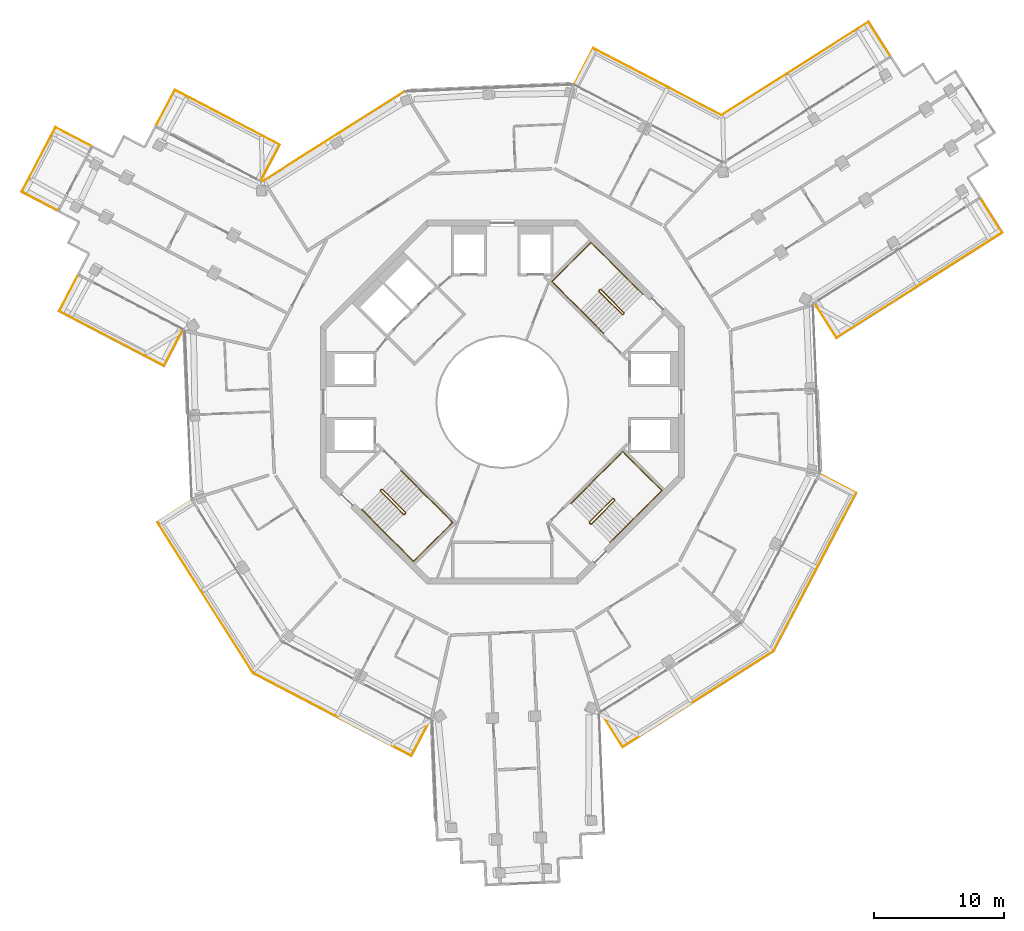
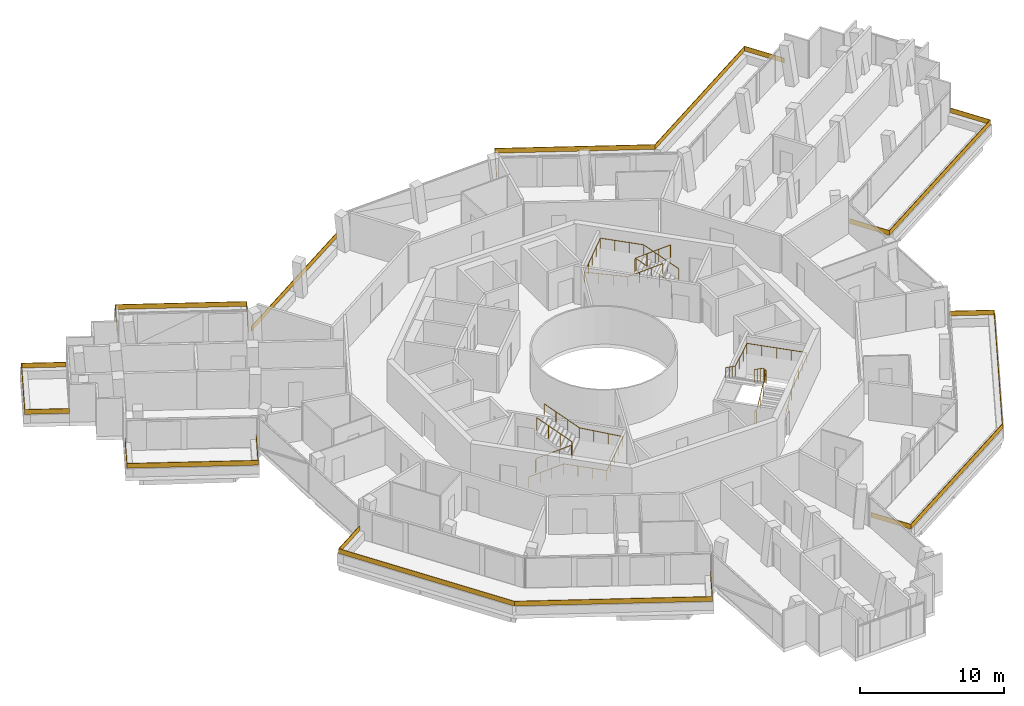
# One storey, part 23 of 23: 14 railings.
"""IFC4 building model written with IfcOpenShell, lengths in metres."""

from ifc_helpers import new_model, si_unit, direction, frame, origin, origin_2d, place, context, subcontext, project, spatial, polyline, rectangle, circle, outline, extrude, material, layer, layer_set, type_object, element, save


model = new_model("IFC4")

# Units and contexts
model_context = context("Model", 3, precision=1e-05, world=origin(), true_north=direction((0.0, 1.0)))
body_context = subcontext(model_context, "Body", "Model", "MODEL_VIEW")
ifc_project = project(units=[si_unit("LENGTHUNIT", "METRE"), si_unit("AREAUNIT", "SQUARE_METRE"), si_unit("VOLUMEUNIT", "CUBIC_METRE"), si_unit("PLANEANGLEUNIT", "RADIAN"), si_unit("MASSUNIT", "GRAM", prefix="KILO")], contexts=[model_context])

# Site, building, storey
site_placement = place(None, origin())
site = spatial("IfcSite", under=ifc_project, at=site_placement, CompositionType="ELEMENT")
building_placement = place(site_placement, origin())
building = spatial("IfcBuilding", under=site, at=building_placement, Name="Verdalira Terraces Hotel", CompositionType="ELEMENT")
storey_placement = place(building_placement, frame((0.0, 0.0, 288.0)))
storey = spatial("IfcBuildingStorey", under=building, at=storey_placement, Name="L71", CompositionType="ELEMENT", Elevation=288.0)

# Railings
ifc_material_1 = material(Name="Laminated glass", Category="glass")
ifc_layer = layer(ifc_material_1, 0.0400390625)
ifc_layer_set = layer_set([ifc_layer], Name="Balcony glass guard 400")
railing_type_1 = type_object("IfcRailingType", Name="Balcony glass guard 400", PredefinedType="GUARDRAIL", material=ifc_layer_set)
railing_1_placement = place(storey_placement, frame((0.0, 0.0, 0.699951)))
element("IfcRailing", 1, at=railing_1_placement, inside=storey, type_object=railing_type_1, Name="Balcony glass guard", PredefinedType="GUARDRAIL", context=body_context, shape_type="SweptSolid", body=[
    extrude(outline(polyline([(-34.364502, 21.102295), (-36.94043, 16.175049), (-34.211914, 14.748535), (-34.230469, 14.713135), (-36.994629, 16.158203), (-34.381592, 21.15625), (-31.617432, 19.711426), (-31.635986, 19.675781), (-34.364502, 21.102295)])), origin(), (0.0, 0.0, 1.0), 0.400146),
])
railing_2_placement = place(storey_placement, frame((0.0, 0.0, 0.699951)))
element("IfcRailing", 2, at=railing_2_placement, inside=storey, type_object=railing_type_1, Name="Balcony glass guard", PredefinedType="GUARDRAIL", context=body_context, shape_type="SweptSolid", body=[
    extrude(outline(polyline([(-34.064697, 6.998535), (-26.04248, 2.804443), (-24.615967, 5.533203), (-24.580566, 5.514648), (-26.025635, 2.750488), (-34.118652, 6.981445), (-32.673828, 9.745605), (-32.638184, 9.727051), (-34.064697, 6.998535)])), origin(), (0.0, 0.0, 1.0), 0.400146),
])
railing_3_placement = place(storey_placement, frame((0.0, 0.0, 0.699951)))
element("IfcRailing", 3, at=railing_3_placement, inside=storey, type_object=railing_type_1, Name="Balcony glass guard", PredefinedType="GUARDRAIL", context=body_context, shape_type="SweptSolid", body=[
    extrude(outline(polyline([(-26.500977, -9.261719), (-19.157471, -20.833496), (-7.011719, -27.183105), (-5.585205, -24.45459), (-5.549805, -24.473145), (-6.994873, -27.237061), (-19.185547, -20.864014), (-26.556396, -9.249512), (-23.922852, -7.578125), (-23.901367, -7.612061), (-26.500977, -9.261719)])), origin(), (0.0, 0.0, 1.0), 0.400146),
])
railing_4_placement = place(storey_placement, frame((0.0, 0.0, 0.699951)))
element("IfcRailing", 4, at=railing_4_placement, inside=storey, type_object=railing_type_1, Name="Balcony glass guard", PredefinedType="GUARDRAIL", context=body_context, shape_type="SweptSolid", body=[
    extrude(outline(polyline([(9.261719, -26.500977), (20.833496, -19.157471), (27.183105, -7.011719), (24.45459, -5.585205), (24.473145, -5.549805), (27.237061, -6.994873), (20.864014, -19.185547), (9.249512, -26.556396), (7.578125, -23.922852), (7.612061, -23.901367), (9.261719, -26.500977)])), origin(), (0.0, 0.0, 1.0), 0.400146),
])
railing_5_placement = place(storey_placement, frame((0.0, 0.0, 0.699951)))
element("IfcRailing", 5, at=railing_5_placement, inside=storey, type_object=railing_type_1, Name="Balcony glass guard", PredefinedType="GUARDRAIL", context=body_context, shape_type="SweptSolid", body=[
    extrude(outline(polyline([(25.716553, 4.973877), (38.425537, 13.039307), (36.775879, 15.63916), (36.80957, 15.6604), (38.480957, 13.0271), (25.704102, 4.918701), (24.032959, 7.552246), (24.06665, 7.573486), (25.716553, 4.973877)])), origin(), (0.0, 0.0, 1.0), 0.400146),
])
railing_6_placement = place(storey_placement, frame((0.0, 0.0, 0.699951)))
element("IfcRailing", 6, at=railing_6_placement, inside=storey, type_object=railing_type_1, Name="Balcony glass guard", PredefinedType="GUARDRAIL", context=body_context, shape_type="SweptSolid", body=[
    extrude(outline(polyline([(28.15918, 29.216797), (16.850098, 22.039795), (7.011719, 27.183105), (5.585205, 24.45459), (5.549805, 24.473145), (6.994873, 27.237061), (16.848145, 22.085938), (28.171631, 29.271973), (29.842773, 26.638428), (29.809082, 26.616943), (28.15918, 29.216797)])), origin(), (0.0, 0.0, 1.0), 0.400146),
])
railing_7_placement = place(storey_placement, frame((0.0, 0.0, 0.699951)))
element("IfcRailing", 7, at=railing_7_placement, inside=storey, type_object=railing_type_1, Name="Balcony glass guard", PredefinedType="GUARDRAIL", context=body_context, shape_type="SweptSolid", body=[
    extrude(outline(polyline([(-17.165771, 19.78418), (-25.187988, 23.978027), (-26.614502, 21.249512), (-26.649902, 21.268066), (-25.204834, 24.032227), (-17.111816, 19.801025), (-18.556885, 17.037109), (-18.592285, 17.055664), (-17.165771, 19.78418)])), origin(), (0.0, 0.0, 1.0), 0.400146),
])
railing_8_placement = place(storey_placement, frame((-12.971436, 20.439697, 0.699951), z_axis=(0.0, 0.0, 1.0), x_axis=(-0.844327926, -0.535826795, 0.0)))
element("IfcRailing", 8, at=railing_8_placement, inside=storey, type_object=railing_type_1, Name="Loggia glass guard", PredefinedType="GUARDRAIL", context=body_context, shape_type="SweptSolid", body=[
    extrude(rectangle(XDim=12.840088, YDim=0.040039, at=origin_2d()), origin(), (0.0, 0.0, 1.0), 0.399902),
])
ifc_material_2 = material(Name="Stainless steel", Category="steel")
railing_type_2 = type_object("IfcRailingType", Name="Stair guard 1100", PredefinedType="GUARDRAIL", material=ifc_material_2)
railing_9_placement = place(storey_placement, frame((9.369141, 6.78833, 0.0)))
element("IfcRailing", 9, at=railing_9_placement, inside=storey, type_object=railing_type_2, Name="L71 ST1 stair guard 1", PredefinedType="GUARDRAIL", context=body_context, shape_type="SweptSolid", body=[
    extrude(circle(Radius=0.023926, at=origin_2d()), frame((0.0, 0.0, 1.076172), z_axis=(-0.707106781, -0.707106781, 0.0), x_axis=(0.707106781, -0.707106781, 0.0)), (0.0, 0.0, 1.0), 0.100098),
    extrude(circle(Radius=0.023926, at=origin_2d()), frame((-0.070801, -0.070801, 1.076172), z_axis=(0.300162975, 0.599290904, 0.742127078), x_axis=(-0.894118129, 0.447831187, 0.0)), (0.0, 0.0, 1.0), 0.23584),
    extrude(circle(Radius=0.023926, at=origin_2d()), frame((0.0, 0.070557, 1.250977), z_axis=(-0.599637504, 0.599637504, 0.52997144), x_axis=(-0.707106781, -0.707106781, 0.0)), (0.0, 0.0, 1.0), 2.97168),
    extrude(circle(Radius=0.023926, at=origin_2d()), frame((-1.781982, 1.852539, 2.826172), z_axis=(-1.0, 0.0, 0.0), x_axis=(0.0, -1.0, 0.0)), (0.0, 0.0, 1.0), 0.070557),
    extrude(circle(Radius=0.023926, at=origin_2d()), frame((-1.852539, 1.852539, 2.826172), z_axis=(-0.707106781, -0.707106781, 0.0), x_axis=(0.707106781, -0.707106781, 0.0)), (0.0, 0.0, 1.0), 0.100098),
    extrude(circle(Radius=0.023926, at=origin_2d()), frame((-1.92334, 1.781738, 2.826172), z_axis=(0.0, -0.373842709, 0.927492118), x_axis=(1.0, 0.0, 0.0)), (0.0, 0.0, 1.0), 0.188721),
    extrude(circle(Radius=0.023926, at=origin_2d()), frame((-1.92334, 1.711182, 3.000977), z_axis=(0.599637504, -0.599637504, 0.52997144), x_axis=(0.707106781, 0.707106781, 0.0)), (0.0, 0.0, 1.0), 2.97168),
    extrude(circle(Radius=0.020996, at=origin_2d()), origin(), (0.0, 0.0, 1.0), 1.052002),
    extrude(circle(Radius=0.020996, at=origin_2d()), frame((-0.070801, -0.070801, 0.0)), (0.0, 0.0, 1.0), 1.052002),
    extrude(circle(Radius=0.020996, at=origin_2d()), frame((0.0, 0.070557, 0.175049)), (0.0, 0.0, 1.0), 1.052002),
    extrude(circle(Radius=0.020996, at=origin_2d()), frame((-0.593994, 0.664551, 0.699951)), (0.0, 0.0, 1.0), 1.052002),
    extrude(circle(Radius=0.020996, at=origin_2d()), frame((-1.187988, 1.258545, 1.225098)), (0.0, 0.0, 1.0), 1.052002),
    extrude(circle(Radius=0.020996, at=origin_2d()), frame((-1.781982, 1.852539, 1.75)), (0.0, 0.0, 1.0), 1.052002),
    extrude(circle(Radius=0.020996, at=origin_2d()), frame((-1.852539, 1.852539, 1.75)), (0.0, 0.0, 1.0), 1.052002),
    extrude(circle(Radius=0.020996, at=origin_2d()), frame((-1.92334, 1.781738, 1.75)), (0.0, 0.0, 1.0), 1.052002),
    extrude(circle(Radius=0.020996, at=origin_2d()), frame((-1.92334, 1.711182, 1.925049)), (0.0, 0.0, 1.0), 1.052002),
    extrude(circle(Radius=0.020996, at=origin_2d()), frame((-1.329346, 1.117188, 2.449951)), (0.0, 0.0, 1.0), 1.052002),
    extrude(circle(Radius=0.020996, at=origin_2d()), frame((-0.735352, 0.523193, 2.975098)), (0.0, 0.0, 1.0), 1.052002),
    extrude(circle(Radius=0.020996, at=origin_2d()), frame((-0.141357, -0.070801, 3.5)), (0.0, 0.0, 1.0), 1.052002),
])
railing_10_placement = place(storey_placement, frame((-9.369141, -6.78833, 0.0)))
element("IfcRailing", 10, at=railing_10_placement, inside=storey, type_object=railing_type_2, Name="L71 ST2 stair guard 1", PredefinedType="GUARDRAIL", context=body_context, shape_type="SweptSolid", body=[
    extrude(circle(Radius=0.023926, at=origin_2d()), frame((0.0, 0.0, 1.076172), z_axis=(0.707106781, 0.707106781, 0.0), x_axis=(-0.707106781, 0.707106781, 0.0)), (0.0, 0.0, 1.0), 0.100098),
    extrude(circle(Radius=0.023926, at=origin_2d()), frame((0.070801, 0.070801, 1.076172), z_axis=(-0.300162975, -0.599290904, 0.742127078), x_axis=(0.894118129, -0.447831187, 0.0)), (0.0, 0.0, 1.0), 0.23584),
    extrude(circle(Radius=0.023926, at=origin_2d()), frame((0.0, -0.070557, 1.250977), z_axis=(0.599637504, -0.599637504, 0.52997144), x_axis=(0.707106781, 0.707106781, 0.0)), (0.0, 0.0, 1.0), 2.97168),
    extrude(circle(Radius=0.023926, at=origin_2d()), frame((1.781982, -1.852539, 2.826172), z_axis=(1.0, 0.0, 0.0), x_axis=(0.0, 1.0, 0.0)), (0.0, 0.0, 1.0), 0.070557),
    extrude(circle(Radius=0.023926, at=origin_2d()), frame((1.852539, -1.852539, 2.826172), z_axis=(0.707106781, 0.707106781, 0.0), x_axis=(-0.707106781, 0.707106781, 0.0)), (0.0, 0.0, 1.0), 0.100098),
    extrude(circle(Radius=0.023926, at=origin_2d()), frame((1.92334, -1.781738, 2.826172), z_axis=(0.0, 0.373842709, 0.927492118), x_axis=(-1.0, 0.0, 0.0)), (0.0, 0.0, 1.0), 0.188721),
    extrude(circle(Radius=0.023926, at=origin_2d()), frame((1.92334, -1.711182, 3.000977), z_axis=(-0.599637504, 0.599637504, 0.52997144), x_axis=(-0.707106781, -0.707106781, 0.0)), (0.0, 0.0, 1.0), 2.97168),
    extrude(circle(Radius=0.020996, at=origin_2d()), origin(), (0.0, 0.0, 1.0), 1.052002),
    extrude(circle(Radius=0.020996, at=origin_2d()), frame((0.070801, 0.070801, 0.0)), (0.0, 0.0, 1.0), 1.052002),
    extrude(circle(Radius=0.020996, at=origin_2d()), frame((0.0, -0.070557, 0.175049)), (0.0, 0.0, 1.0), 1.052002),
    extrude(circle(Radius=0.020996, at=origin_2d()), frame((0.593994, -0.664551, 0.699951)), (0.0, 0.0, 1.0), 1.052002),
    extrude(circle(Radius=0.020996, at=origin_2d()), frame((1.187988, -1.258545, 1.225098)), (0.0, 0.0, 1.0), 1.052002),
    extrude(circle(Radius=0.020996, at=origin_2d()), frame((1.781982, -1.852539, 1.75)), (0.0, 0.0, 1.0), 1.052002),
    extrude(circle(Radius=0.020996, at=origin_2d()), frame((1.852539, -1.852539, 1.75)), (0.0, 0.0, 1.0), 1.052002),
    extrude(circle(Radius=0.020996, at=origin_2d()), frame((1.92334, -1.781738, 1.75)), (0.0, 0.0, 1.0), 1.052002),
    extrude(circle(Radius=0.020996, at=origin_2d()), frame((1.92334, -1.711182, 1.925049)), (0.0, 0.0, 1.0), 1.052002),
    extrude(circle(Radius=0.020996, at=origin_2d()), frame((1.329346, -1.117188, 2.449951)), (0.0, 0.0, 1.0), 1.052002),
    extrude(circle(Radius=0.020996, at=origin_2d()), frame((0.735352, -0.523193, 2.975098)), (0.0, 0.0, 1.0), 1.052002),
    extrude(circle(Radius=0.020996, at=origin_2d()), frame((0.141357, 0.070801, 3.5)), (0.0, 0.0, 1.0), 1.052002),
])
railing_11_placement = place(storey_placement, frame((6.78833, -9.369141, 0.0)))
element("IfcRailing", 11, at=railing_11_placement, inside=storey, type_object=railing_type_2, Name="L71 ST3 stair guard 1", PredefinedType="GUARDRAIL", context=body_context, shape_type="SweptSolid", body=[
    extrude(circle(Radius=0.023926, at=origin_2d()), frame((0.0, 0.0, 1.076172), z_axis=(-0.707106781, 0.707106781, 0.0), x_axis=(-0.707106781, -0.707106781, 0.0)), (0.0, 0.0, 1.0), 0.100098),
    extrude(circle(Radius=0.023926, at=origin_2d()), frame((-0.070801, 0.070801, 1.076172), z_axis=(0.599290904, -0.300162975, 0.742127078), x_axis=(0.447831187, 0.894118129, 0.0)), (0.0, 0.0, 1.0), 0.23584),
    extrude(circle(Radius=0.023926, at=origin_2d()), frame((0.070557, 0.0, 1.250977), z_axis=(0.599637504, 0.599637504, 0.52997144), x_axis=(-0.707106781, 0.707106781, 0.0)), (0.0, 0.0, 1.0), 2.97168),
    extrude(circle(Radius=0.023926, at=origin_2d()), frame((1.852539, 1.781982, 2.826172), z_axis=(0.0, 1.0, 0.0), x_axis=(-1.0, 0.0, 0.0)), (0.0, 0.0, 1.0), 0.070557),
    extrude(circle(Radius=0.023926, at=origin_2d()), frame((1.852539, 1.852539, 2.826172), z_axis=(-0.707106781, 0.707106781, 0.0), x_axis=(-0.707106781, -0.707106781, 0.0)), (0.0, 0.0, 1.0), 0.100098),
    extrude(circle(Radius=0.023926, at=origin_2d()), frame((1.781738, 1.92334, 2.826172), z_axis=(-0.373842709, 0.0, 0.927492118), x_axis=(0.0, -1.0, 0.0)), (0.0, 0.0, 1.0), 0.188721),
    extrude(circle(Radius=0.023926, at=origin_2d()), frame((1.711182, 1.92334, 3.000977), z_axis=(-0.599637504, -0.599637504, 0.52997144), x_axis=(0.707106781, -0.707106781, 0.0)), (0.0, 0.0, 1.0), 2.97168),
    extrude(circle(Radius=0.020996, at=origin_2d()), origin(), (0.0, 0.0, 1.0), 1.052002),
    extrude(circle(Radius=0.020996, at=origin_2d()), frame((-0.070801, 0.070801, 0.0)), (0.0, 0.0, 1.0), 1.052002),
    extrude(circle(Radius=0.020996, at=origin_2d()), frame((0.070557, 0.0, 0.175049)), (0.0, 0.0, 1.0), 1.052002),
    extrude(circle(Radius=0.020996, at=origin_2d()), frame((0.664551, 0.593994, 0.699951)), (0.0, 0.0, 1.0), 1.052002),
    extrude(circle(Radius=0.020996, at=origin_2d()), frame((1.258545, 1.187988, 1.225098)), (0.0, 0.0, 1.0), 1.052002),
    extrude(circle(Radius=0.020996, at=origin_2d()), frame((1.852539, 1.781982, 1.75)), (0.0, 0.0, 1.0), 1.052002),
    extrude(circle(Radius=0.020996, at=origin_2d()), frame((1.852539, 1.852539, 1.75)), (0.0, 0.0, 1.0), 1.052002),
    extrude(circle(Radius=0.020996, at=origin_2d()), frame((1.781738, 1.92334, 1.75)), (0.0, 0.0, 1.0), 1.052002),
    extrude(circle(Radius=0.020996, at=origin_2d()), frame((1.711182, 1.92334, 1.925049)), (0.0, 0.0, 1.0), 1.052002),
    extrude(circle(Radius=0.020996, at=origin_2d()), frame((1.117188, 1.329346, 2.449951)), (0.0, 0.0, 1.0), 1.052002),
    extrude(circle(Radius=0.020996, at=origin_2d()), frame((0.523193, 0.735352, 2.975098)), (0.0, 0.0, 1.0), 1.052002),
    extrude(circle(Radius=0.020996, at=origin_2d()), frame((-0.070801, 0.141357, 3.5)), (0.0, 0.0, 1.0), 1.052002),
])
ifc_material_3 = material(Name="Stainless steel", Category="steel")
railing_type_3 = type_object("IfcRailingType", Name="Stair handrail 900", PredefinedType="HANDRAIL", material=ifc_material_3)
railing_12_placement = place(storey_placement, frame((10.801025, 8.290771, 0.175049)))
element("IfcRailing", 12, at=railing_12_placement, inside=storey, type_object=railing_type_3, Name="L71 ST1 stair handrail 1", PredefinedType="HANDRAIL", context=body_context, shape_type="SweptSolid", body=[
    extrude(circle(Radius=0.023926, at=origin_2d()), frame((0.0, 0.0, 0.875977), z_axis=(-0.599637504, 0.599637504, 0.52997144), x_axis=(-0.707106781, -0.707106781, 0.0)), (0.0, 0.0, 1.0), 2.97168),
    extrude(circle(Radius=0.023926, at=origin_2d()), frame((-1.781982, 1.781982, 2.450684), z_axis=(-0.707106781, 0.707106781, 0.0), x_axis=(-0.707106781, -0.707106781, 0.0)), (0.0, 0.0, 1.0), 3.10498),
    extrude(circle(Radius=0.023926, at=origin_2d()), frame((-3.977539, 3.977539, 2.450684), z_axis=(-0.707106781, -0.707106781, 0.0), x_axis=(0.707106781, -0.707106781, 0.0)), (0.0, 0.0, 1.0), 4.25),
    extrude(circle(Radius=0.023926, at=origin_2d()), frame((-6.982666, 0.972412, 2.450684), z_axis=(0.705985743, -0.705985743, 0.05628731), x_axis=(0.707106781, 0.707106781, 0.0)), (0.0, 0.0, 1.0), 3.109863),
    extrude(circle(Radius=0.023926, at=origin_2d()), frame((-4.787109, -1.223145, 2.625977), z_axis=(0.599637504, -0.599637504, 0.52997144), x_axis=(0.707106781, 0.707106781, 0.0)), (0.0, 0.0, 1.0), 2.97168),
    extrude(circle(Radius=0.020996, at=origin_2d()), origin(), (0.0, 0.0, 1.0), 0.851807),
    extrude(circle(Radius=0.020996, at=origin_2d()), frame((-0.593994, 0.593994, 0.524902)), (0.0, 0.0, 1.0), 0.851807),
    extrude(circle(Radius=0.020996, at=origin_2d()), frame((-1.187988, 1.187988, 1.050049)), (0.0, 0.0, 1.0), 0.851807),
    extrude(circle(Radius=0.020996, at=origin_2d()), frame((-1.781982, 1.781982, 1.574951)), (0.0, 0.0, 1.0), 0.851807),
    extrude(circle(Radius=0.020996, at=origin_2d()), frame((-2.513916, 2.513916, 1.574951)), (0.0, 0.0, 1.0), 0.851807),
    extrude(circle(Radius=0.020996, at=origin_2d()), frame((-3.245605, 3.245605, 1.574951)), (0.0, 0.0, 1.0), 0.851807),
    extrude(circle(Radius=0.020996, at=origin_2d()), frame((-3.977539, 3.977539, 1.574951)), (0.0, 0.0, 1.0), 0.851807),
    extrude(circle(Radius=0.020996, at=origin_2d()), frame((-4.72876, 3.226318, 1.574951)), (0.0, 0.0, 1.0), 0.851807),
    extrude(circle(Radius=0.020996, at=origin_2d()), frame((-5.47998, 2.475098, 1.574951)), (0.0, 0.0, 1.0), 0.851807),
    extrude(circle(Radius=0.020996, at=origin_2d()), frame((-6.231445, 1.723633, 1.574951)), (0.0, 0.0, 1.0), 0.851807),
    extrude(circle(Radius=0.020996, at=origin_2d()), frame((-6.982666, 0.972412, 1.574951)), (0.0, 0.0, 1.0), 0.851807),
    extrude(circle(Radius=0.020996, at=origin_2d()), frame((-6.250732, 0.240479, 1.633301)), (0.0, 0.0, 1.0), 0.851807),
    extrude(circle(Radius=0.020996, at=origin_2d()), frame((-5.519043, -0.491211, 1.69165)), (0.0, 0.0, 1.0), 0.851807),
    extrude(circle(Radius=0.020996, at=origin_2d()), frame((-4.787109, -1.223145, 1.75)), (0.0, 0.0, 1.0), 0.851807),
    extrude(circle(Radius=0.020996, at=origin_2d()), frame((-4.193115, -1.817139, 2.274902)), (0.0, 0.0, 1.0), 0.851807),
    extrude(circle(Radius=0.020996, at=origin_2d()), frame((-3.599121, -2.411133, 2.800049)), (0.0, 0.0, 1.0), 0.851807),
    extrude(circle(Radius=0.020996, at=origin_2d()), frame((-3.005127, -3.005127, 3.324951)), (0.0, 0.0, 1.0), 0.851807),
])
railing_13_placement = place(storey_placement, frame((-10.801025, -8.290771, 0.175049)))
element("IfcRailing", 13, at=railing_13_placement, inside=storey, type_object=railing_type_3, Name="L71 ST2 stair handrail 1", PredefinedType="HANDRAIL", context=body_context, shape_type="SweptSolid", body=[
    extrude(circle(Radius=0.023926, at=origin_2d()), frame((0.0, 0.0, 0.875977), z_axis=(0.599637504, -0.599637504, 0.52997144), x_axis=(0.707106781, 0.707106781, 0.0)), (0.0, 0.0, 1.0), 2.97168),
    extrude(circle(Radius=0.023926, at=origin_2d()), frame((1.781982, -1.781982, 2.450684), z_axis=(0.707106781, -0.707106781, 0.0), x_axis=(0.707106781, 0.707106781, 0.0)), (0.0, 0.0, 1.0), 3.10498),
    extrude(circle(Radius=0.023926, at=origin_2d()), frame((3.977539, -3.977539, 2.450684), z_axis=(0.707106781, 0.707106781, 0.0), x_axis=(-0.707106781, 0.707106781, 0.0)), (0.0, 0.0, 1.0), 4.25),
    extrude(circle(Radius=0.023926, at=origin_2d()), frame((6.982666, -0.972412, 2.450684), z_axis=(-0.705985743, 0.705985743, 0.05628731), x_axis=(-0.707106781, -0.707106781, 0.0)), (0.0, 0.0, 1.0), 3.109863),
    extrude(circle(Radius=0.023926, at=origin_2d()), frame((4.787109, 1.223145, 2.625977), z_axis=(-0.599637504, 0.599637504, 0.52997144), x_axis=(-0.707106781, -0.707106781, 0.0)), (0.0, 0.0, 1.0), 2.97168),
    extrude(circle(Radius=0.020996, at=origin_2d()), origin(), (0.0, 0.0, 1.0), 0.851807),
    extrude(circle(Radius=0.020996, at=origin_2d()), frame((0.593994, -0.593994, 0.524902)), (0.0, 0.0, 1.0), 0.851807),
    extrude(circle(Radius=0.020996, at=origin_2d()), frame((1.187988, -1.187988, 1.050049)), (0.0, 0.0, 1.0), 0.851807),
    extrude(circle(Radius=0.020996, at=origin_2d()), frame((1.781982, -1.781982, 1.574951)), (0.0, 0.0, 1.0), 0.851807),
    extrude(circle(Radius=0.020996, at=origin_2d()), frame((2.513916, -2.513916, 1.574951)), (0.0, 0.0, 1.0), 0.851807),
    extrude(circle(Radius=0.020996, at=origin_2d()), frame((3.245605, -3.245605, 1.574951)), (0.0, 0.0, 1.0), 0.851807),
    extrude(circle(Radius=0.020996, at=origin_2d()), frame((3.977539, -3.977539, 1.574951)), (0.0, 0.0, 1.0), 0.851807),
    extrude(circle(Radius=0.020996, at=origin_2d()), frame((4.72876, -3.226318, 1.574951)), (0.0, 0.0, 1.0), 0.851807),
    extrude(circle(Radius=0.020996, at=origin_2d()), frame((5.47998, -2.475098, 1.574951)), (0.0, 0.0, 1.0), 0.851807),
    extrude(circle(Radius=0.020996, at=origin_2d()), frame((6.231445, -1.723633, 1.574951)), (0.0, 0.0, 1.0), 0.851807),
    extrude(circle(Radius=0.020996, at=origin_2d()), frame((6.982666, -0.972412, 1.574951)), (0.0, 0.0, 1.0), 0.851807),
    extrude(circle(Radius=0.020996, at=origin_2d()), frame((6.250732, -0.240479, 1.633301)), (0.0, 0.0, 1.0), 0.851807),
    extrude(circle(Radius=0.020996, at=origin_2d()), frame((5.519043, 0.491211, 1.69165)), (0.0, 0.0, 1.0), 0.851807),
    extrude(circle(Radius=0.020996, at=origin_2d()), frame((4.787109, 1.223145, 1.75)), (0.0, 0.0, 1.0), 0.851807),
    extrude(circle(Radius=0.020996, at=origin_2d()), frame((4.193115, 1.817139, 2.274902)), (0.0, 0.0, 1.0), 0.851807),
    extrude(circle(Radius=0.020996, at=origin_2d()), frame((3.599121, 2.411133, 2.800049)), (0.0, 0.0, 1.0), 0.851807),
    extrude(circle(Radius=0.020996, at=origin_2d()), frame((3.005127, 3.005127, 3.324951)), (0.0, 0.0, 1.0), 0.851807),
])
railing_14_placement = place(storey_placement, frame((8.290771, -10.801025, 0.175049)))
element("IfcRailing", 14, at=railing_14_placement, inside=storey, type_object=railing_type_3, Name="L71 ST3 stair handrail 1", PredefinedType="HANDRAIL", context=body_context, shape_type="SweptSolid", body=[
    extrude(circle(Radius=0.023926, at=origin_2d()), frame((0.0, 0.0, 0.875977), z_axis=(0.599637504, 0.599637504, 0.52997144), x_axis=(-0.707106781, 0.707106781, 0.0)), (0.0, 0.0, 1.0), 2.97168),
    extrude(circle(Radius=0.023926, at=origin_2d()), frame((1.781982, 1.781982, 2.450684), z_axis=(0.707106781, 0.707106781, 0.0), x_axis=(-0.707106781, 0.707106781, 0.0)), (0.0, 0.0, 1.0), 3.10498),
    extrude(circle(Radius=0.023926, at=origin_2d()), frame((3.977539, 3.977539, 2.450684), z_axis=(-0.707106781, 0.707106781, 0.0), x_axis=(-0.707106781, -0.707106781, 0.0)), (0.0, 0.0, 1.0), 4.25),
    extrude(circle(Radius=0.023926, at=origin_2d()), frame((0.972412, 6.982666, 2.450684), z_axis=(-0.705985743, -0.705985743, 0.05628731), x_axis=(0.707106781, -0.707106781, 0.0)), (0.0, 0.0, 1.0), 3.109863),
    extrude(circle(Radius=0.023926, at=origin_2d()), frame((-1.223145, 4.787109, 2.625977), z_axis=(-0.599637504, -0.599637504, 0.52997144), x_axis=(0.707106781, -0.707106781, 0.0)), (0.0, 0.0, 1.0), 2.97168),
    extrude(circle(Radius=0.020996, at=origin_2d()), origin(), (0.0, 0.0, 1.0), 0.851807),
    extrude(circle(Radius=0.020996, at=origin_2d()), frame((0.593994, 0.593994, 0.524902)), (0.0, 0.0, 1.0), 0.851807),
    extrude(circle(Radius=0.020996, at=origin_2d()), frame((1.187988, 1.187988, 1.050049)), (0.0, 0.0, 1.0), 0.851807),
    extrude(circle(Radius=0.020996, at=origin_2d()), frame((1.781982, 1.781982, 1.574951)), (0.0, 0.0, 1.0), 0.851807),
    extrude(circle(Radius=0.020996, at=origin_2d()), frame((2.513916, 2.513916, 1.574951)), (0.0, 0.0, 1.0), 0.851807),
    extrude(circle(Radius=0.020996, at=origin_2d()), frame((3.245605, 3.245605, 1.574951)), (0.0, 0.0, 1.0), 0.851807),
    extrude(circle(Radius=0.020996, at=origin_2d()), frame((3.977539, 3.977539, 1.574951)), (0.0, 0.0, 1.0), 0.851807),
    extrude(circle(Radius=0.020996, at=origin_2d()), frame((3.226318, 4.72876, 1.574951)), (0.0, 0.0, 1.0), 0.851807),
    extrude(circle(Radius=0.020996, at=origin_2d()), frame((2.475098, 5.47998, 1.574951)), (0.0, 0.0, 1.0), 0.851807),
    extrude(circle(Radius=0.020996, at=origin_2d()), frame((1.723633, 6.231445, 1.574951)), (0.0, 0.0, 1.0), 0.851807),
    extrude(circle(Radius=0.020996, at=origin_2d()), frame((0.972412, 6.982666, 1.574951)), (0.0, 0.0, 1.0), 0.851807),
    extrude(circle(Radius=0.020996, at=origin_2d()), frame((0.240479, 6.250732, 1.633301)), (0.0, 0.0, 1.0), 0.851807),
    extrude(circle(Radius=0.020996, at=origin_2d()), frame((-0.491211, 5.519043, 1.69165)), (0.0, 0.0, 1.0), 0.851807),
    extrude(circle(Radius=0.020996, at=origin_2d()), frame((-1.223145, 4.787109, 1.75)), (0.0, 0.0, 1.0), 0.851807),
    extrude(circle(Radius=0.020996, at=origin_2d()), frame((-1.817139, 4.193115, 2.274902)), (0.0, 0.0, 1.0), 0.851807),
    extrude(circle(Radius=0.020996, at=origin_2d()), frame((-2.411133, 3.599121, 2.800049)), (0.0, 0.0, 1.0), 0.851807),
    extrude(circle(Radius=0.020996, at=origin_2d()), frame((-3.005127, 3.005127, 3.324951)), (0.0, 0.0, 1.0), 0.851807),
])

save(model, "model.ifc")
